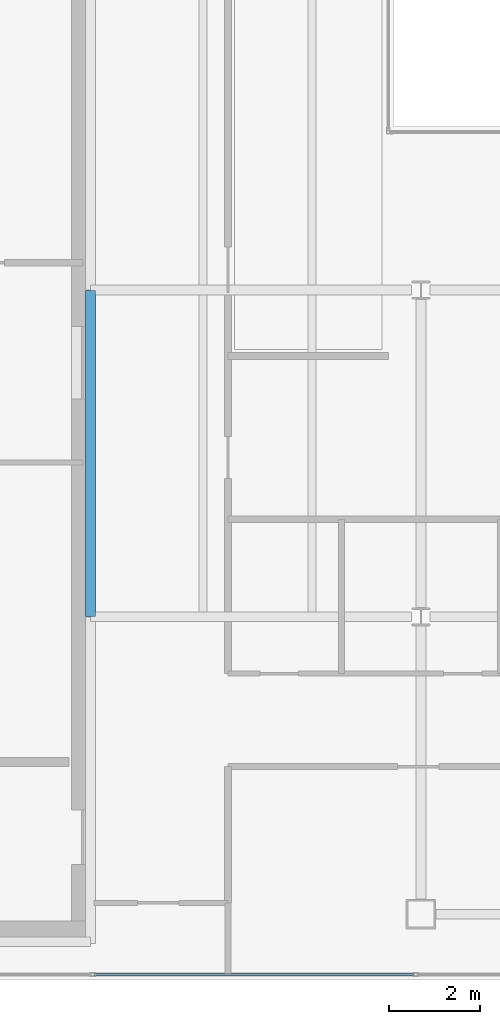
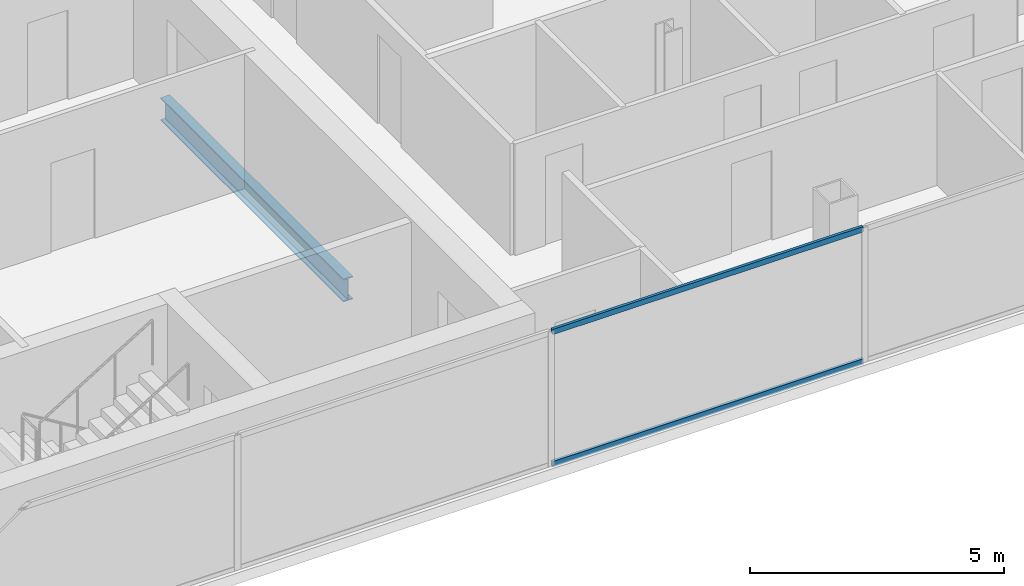
# One storey, part 4 of 23: 2 members, 1 beam, 1 element without a shape of its own.
"""IFC4 building model written with IfcOpenShell, lengths in metres."""

import ifcopenshell
import ifcopenshell.guid

model = None  # the IFC model being written
_history = None  # IfcOwnerHistory: only IFC2X3 demands one
_inside = {}  # id of a spatial element -> (the spatial element, [elements in it])
_under = {}  # id of a project, library or spatial element -> (it, [spatial elements below it])
_declared = {}  # id of a project -> (the project, [libraries it declares])
_typed = {}  # id of a type object -> (the type object, [elements of that type])
_made_of = {}  # id of a material, layer set ... -> (it, [elements and type objects made of it])


def new_model(schema):
    """Start an empty IFC model of exactly this schema.

    Asked for "IFC4X3", IfcOpenShell would pick the latest addendum, in which some entities
    have other attributes; the version numbers below select the first issue.
    IFC2X3 requires an IfcOwnerHistory on every rooted entity: one is made here for all.
    """
    global model, _history
    if schema == "IFC4X3":
        model = ifcopenshell.file(schema_version=(4, 3, 0, 0))
    else:
        model = ifcopenshell.file(schema=schema)
    _inside.clear()
    _under.clear()
    _declared.clear()
    _typed.clear()
    _made_of.clear()
    _history = None
    if model.schema == "IFC2X3":
        org = make("IfcOrganization", Name="unknown")
        user = make(
            "IfcPersonAndOrganization",
            ThePerson=make("IfcPerson", FamilyName="unknown"),
            TheOrganization=org,
        )
        app = make(
            "IfcApplication",
            ApplicationDeveloper=org,
            Version="unknown",
            ApplicationFullName="unknown",
            ApplicationIdentifier="unknown",
        )
        _history = make(
            "IfcOwnerHistory",
            OwningUser=user,
            OwningApplication=app,
            ChangeAction="ADDED",
            CreationDate=0,
        )
    return model


def make(cls, **values):
    """One entity of the class cls with the attributes given. An attribute that is None is left unset."""
    return model.create_entity(
        cls, **{name: value for name, value in values.items() if value is not None}
    )


def rooted(cls, **values):
    """An entity with a GlobalId (a new one), such as an element, a storey or a relation."""
    return make(cls, GlobalId=ifcopenshell.guid.new(), OwnerHistory=_history, **values)


def si_unit(unit_type, name, prefix=None):
    """IfcSIUnit, for example si_unit("LENGTHUNIT", "METRE", prefix="MILLI")."""
    return make("IfcSIUnit", UnitType=unit_type, Prefix=prefix, Name=name)


def assignment(units):
    """IfcUnitAssignment: the units of a project."""
    return None if units is None else make("IfcUnitAssignment", Units=units)


def point(xyz):
    """IfcCartesianPoint."""
    return None if xyz is None else make("IfcCartesianPoint", Coordinates=xyz)


def direction(xyz):
    """IfcDirection."""
    return None if xyz is None else make("IfcDirection", DirectionRatios=xyz)


def frame(location, z_axis=None, x_axis=None):
    """IfcAxis2Placement3D, a coordinate frame: its origin and axes. An axis left out is left unset."""
    return make(
        "IfcAxis2Placement3D",
        Location=point(location),
        Axis=direction(z_axis),
        RefDirection=direction(x_axis),
    )


def frame_2d(location, x_axis=None):
    """IfcAxis2Placement2D, a coordinate frame in the plane: its origin and x axis."""
    return make(
        "IfcAxis2Placement2D", Location=point(location), RefDirection=direction(x_axis)
    )


def origin():
    """The frame at (0, 0, 0) with its axes left unset."""
    return frame((0.0, 0.0, 0.0))


def origin_2d():
    """The frame at (0, 0) in the plane with its x axis left unset."""
    return frame_2d((0.0, 0.0))


def place(relative_to, where):
    """IfcLocalPlacement: puts the frame where relative to a parent placement (None: the world)."""
    return make(
        "IfcLocalPlacement", PlacementRelTo=relative_to, RelativePlacement=where
    )


def context(
    kind, dimensions, precision=None, world=None, true_north=None, identifier=None
):
    """IfcGeometricRepresentationContext, for example the 3D "Model" context."""
    return make(
        "IfcGeometricRepresentationContext",
        ContextIdentifier=identifier,
        ContextType=kind,
        CoordinateSpaceDimension=dimensions,
        Precision=precision,
        WorldCoordinateSystem=world,
        TrueNorth=true_north,
    )


def subcontext(parent, identifier, kind, view, scale=None):
    """IfcGeometricRepresentationSubContext, for example "Body" below "Model"."""
    return make(
        "IfcGeometricRepresentationSubContext",
        ContextIdentifier=identifier,
        ContextType=kind,
        ParentContext=parent,
        TargetScale=scale,
        TargetView=view,
    )


def project(units=None, contexts=None):
    """IfcProject with its units and contexts."""
    return rooted(
        "IfcProject",
        Name="project",
        RepresentationContexts=contexts,
        UnitsInContext=assignment(units),
    )


def spatial(cls, under=None, at=None, **own):
    """A site, building, storey or space (cls), placed at a placement, below another one or the project."""
    s = rooted(cls, ObjectPlacement=at, **own)
    if under is not None:
        _under.setdefault(under.id(), (under, []))[1].append(s)
    return s


def profile(cls, at=None, kind="AREA", **sizes):
    """A parametric profile (cls). Its sizes go by their IFC names, for example OverallWidth=200.0."""
    return make(cls, ProfileType=kind, Position=at, **sizes)


def hollow_rectangle(**sizes):
    """IfcRectangleHollowProfileDef."""
    return profile("IfcRectangleHollowProfileDef", **sizes)


def i_section(**sizes):
    """IfcIShapeProfileDef."""
    return profile("IfcIShapeProfileDef", **sizes)


def extrude(swept, where, along, depth):
    """IfcExtrudedAreaSolid: the profile swept, set in the frame where, extruded along a direction by depth."""
    return make(
        "IfcExtrudedAreaSolid",
        SweptArea=swept,
        Position=where,
        ExtrudedDirection=direction(along),
        Depth=depth,
    )


def shape(context_of_items, identifier, shape_type, items):
    """IfcShapeRepresentation: the items that make up one representation, for example the "Body"."""
    return make(
        "IfcShapeRepresentation",
        ContextOfItems=context_of_items,
        RepresentationIdentifier=identifier,
        RepresentationType=shape_type,
        Items=items,
    )


def material(Name=None, Category=None):
    """IfcMaterial."""
    return make("IfcMaterial", Name=Name, Category=Category)


def material_profile(
    of_material, cross_section, Name=None, Category=None, Priority=None
):
    """IfcMaterialProfile: a cross section and its material."""
    return make(
        "IfcMaterialProfile",
        Name=Name,
        Material=of_material,
        Profile=cross_section,
        Priority=Priority,
        Category=Category,
    )


def profile_set(profiles, Name=None, composite=None):
    """IfcMaterialProfileSet."""
    return make(
        "IfcMaterialProfileSet",
        Name=Name,
        MaterialProfiles=profiles,
        CompositeProfile=composite,
    )


def made_of(thing, what):
    """Note that an element or type object is made of a material, layer set ...; save() writes the relation."""
    if what is not None:
        _made_of.setdefault(what.id(), (what, []))[1].append(thing)
    return thing


def type_object(cls, material=None, **own):
    """A type object (cls), such as IfcWallType, which elements share."""
    return made_of(rooted(cls, **own), material)


def element(
    cls,
    number,
    at=None,
    inside=None,
    cuts=None,
    type_object=None,
    material=None,
    context=None,
    identifier="Body",
    shape_type=None,
    held_by="IfcProductDefinitionShape",
    body=None,
    shapes=None,
    **own,
):
    """One element of the class cls, such as IfcWall. Its Tag is "e" and its number.

    at: its placement. inside: the storey or other place that contains it. cuts: it is an
    opening in that element (IfcRelVoidsElement). A single representation is given by context,
    identifier, shape_type and body (its items); several are given by shapes. held_by: the class
    of the entity that holds the representations. save() writes the other relations.
    """
    e = rooted(cls, Tag="e%d" % number, ObjectPlacement=at, **own)
    if body is not None:
        shapes = [shape(context, identifier, shape_type, body)]
    if shapes is not None:
        e.Representation = make(held_by, Representations=shapes)
    if inside is not None:
        _inside.setdefault(inside.id(), (inside, []))[1].append(e)
    if cuts is not None:
        rooted(
            "IfcRelVoidsElement", RelatingBuildingElement=cuts, RelatedOpeningElement=e
        )
    if type_object is not None:
        _typed.setdefault(type_object.id(), (type_object, []))[1].append(e)
    return made_of(e, material)


def aggregate(whole, parts):
    """IfcRelAggregates: a whole, such as a stair, and the parts it consists of."""
    return rooted("IfcRelAggregates", RelatingObject=whole, RelatedObjects=parts)


def save(model, path):
    """Write the relations noted so far, then the file.

    IfcRelAggregates (storeys below a building ...), IfcRelContainedInSpatialStructure (elements
    in a storey), IfcRelDefinesByType, IfcRelAssociatesMaterial and IfcRelDeclares: one each for
    every whole, place, type object, material and project.
    """
    for whole, parts in _under.values():
        aggregate(whole, parts)
    for where, things in _inside.values():
        rooted(
            "IfcRelContainedInSpatialStructure",
            RelatedElements=things,
            RelatingStructure=where,
        )
    for kind, things in _typed.values():
        rooted("IfcRelDefinesByType", RelatedObjects=things, RelatingType=kind)
    for what, things in _made_of.values():
        rooted("IfcRelAssociatesMaterial", RelatedObjects=things, RelatingMaterial=what)
    for by, libraries in _declared.values():
        rooted("IfcRelDeclares", RelatingContext=by, RelatedDefinitions=libraries)
    model.write(path)


model = new_model("IFC4")

# Units and contexts
model_context = context("Model", 3, precision=1e-05, world=origin(), true_north=direction((0.0, 1.0)))
body_context = subcontext(model_context, "Body", "Model", "MODEL_VIEW")
ifc_project = project(units=[si_unit("LENGTHUNIT", "METRE"), si_unit("AREAUNIT", "SQUARE_METRE"), si_unit("VOLUMEUNIT", "CUBIC_METRE"), si_unit("PLANEANGLEUNIT", "RADIAN"), si_unit("MASSUNIT", "GRAM", prefix="KILO")], contexts=[model_context])

# Site, building, storey
site_placement = place(None, origin())
site = spatial("IfcSite", under=ifc_project, at=site_placement, CompositionType="ELEMENT")
building_placement = place(site_placement, origin())
building = spatial("IfcBuilding", under=site, at=building_placement, Name="Cobrela Telecom Tower", CompositionType="ELEMENT")
storey_placement = place(building_placement, frame((0.0, 0.0, 272.64990234375)))
storey = spatial("IfcBuildingStorey", under=building, at=storey_placement, Name="L71", CompositionType="ELEMENT", Elevation=272.64990234375)

# Beam
ifc_material_1 = material(Name="Steel ASTM A992 Grade 50", Category="steel")
ifc_material_profile_1 = material_profile(ifc_material_1, i_section(OverallWidth=0.212890625, OverallDepth=0.549072265625, WebThickness=0.0146484375, FlangeThickness=0.023681640625, FilletRadius=0.013916015625, at=origin_2d()), Name="W21X93")
ifc_profile_set_1 = profile_set([ifc_material_profile_1], Name="Steel ASTM A992 Grade 50")
beam_type = type_object("IfcBeamType", Name="BM-GIRD-08", PredefinedType="USERDEFINED", material=ifc_profile_set_1)
beam_placement = place(storey_placement, frame((14.320068359375, 14.405029296875, -0.534423828125), z_axis=(0.0, 1.0, 0.0), x_axis=(-1.0, 0.0, 0.0)))
element("IfcBeam", 1, at=beam_placement, inside=storey, type_object=beam_type, Name="L71 Primary Girder Y22", ObjectType="GIRDER", PredefinedType="USERDEFINED", context=body_context, shape_type="SweptSolid", body=[
    extrude(i_section(OverallWidth=0.212890625, OverallDepth=0.549072265625, WebThickness=0.0146484375, FlangeThickness=0.023681640625, FilletRadius=0.013916015625, at=origin_2d()), origin(), (0.0, 0.0, 1.0), 7.18994140625),
])

# Curtain wall, members
ifc_material_2 = material(Name="Anodized Bronze Aluminium 6063-T6", Category="aluminium")
curtain_wall_type = type_object("IfcCurtainWallType", Name="CW-SYS-OFF-HI", PredefinedType="USERDEFINED", material=ifc_material_2)
curtain_wall_placement = place(storey_placement, origin())
curtain_wall = element("IfcCurtainWall", 2, at=curtain_wall_placement, inside=storey, type_object=curtain_wall_type, Name="L71 Unitised Bronze Curtain Wall 15", ObjectType="UNITISED CURTAIN WALL", PredefinedType="USERDEFINED")
ifc_material_profile_2 = material_profile(ifc_material_2, hollow_rectangle(XDim=0.06494140625, YDim=0.1298828125, WallThickness=0.00390625, at=origin_2d()), Name="ALU 65x130x4")
ifc_profile_set_2 = profile_set([ifc_material_profile_2], Name="Anodized Bronze Aluminium 6063-T6")
member_type = type_object("IfcMemberType", Name="CW-SYS-OFF-HI-TRN", PredefinedType="USERDEFINED", material=ifc_profile_set_2)
member_1_placement = place(storey_placement, frame((21.449951171875, 6.52001953125, 0.03271484375), z_axis=(-1.0, 0.0, 0.0), x_axis=(0.0, -1.0, 0.0)))
member_1 = element("IfcMember", 3, at=member_1_placement, type_object=member_type, Name="CW-OFF-HI transom 4.1", ObjectType="TRANSOM", PredefinedType="USERDEFINED", context=body_context, shape_type="SweptSolid", body=[
    extrude(hollow_rectangle(XDim=0.06494140625, YDim=0.1298828125, WallThickness=0.00390625, at=origin_2d()), origin(), (0.0, 0.0, 1.0), 7.051513671875),
])
member_2_placement = place(storey_placement, frame((21.449951171875, 6.52001953125, 3.20751953125), z_axis=(-1.0, 0.0, 0.0), x_axis=(0.0, -1.0, 0.0)))
member_2 = element("IfcMember", 4, at=member_2_placement, type_object=member_type, Name="CW-OFF-HI transom 4.2", ObjectType="TRANSOM", PredefinedType="USERDEFINED", context=body_context, shape_type="SweptSolid", body=[
    extrude(hollow_rectangle(XDim=0.06494140625, YDim=0.1298828125, WallThickness=0.00390625, at=origin_2d()), origin(), (0.0, 0.0, 1.0), 7.051513671875),
])
aggregate(curtain_wall, [member_1, member_2])

save(model, "model.ifc")
